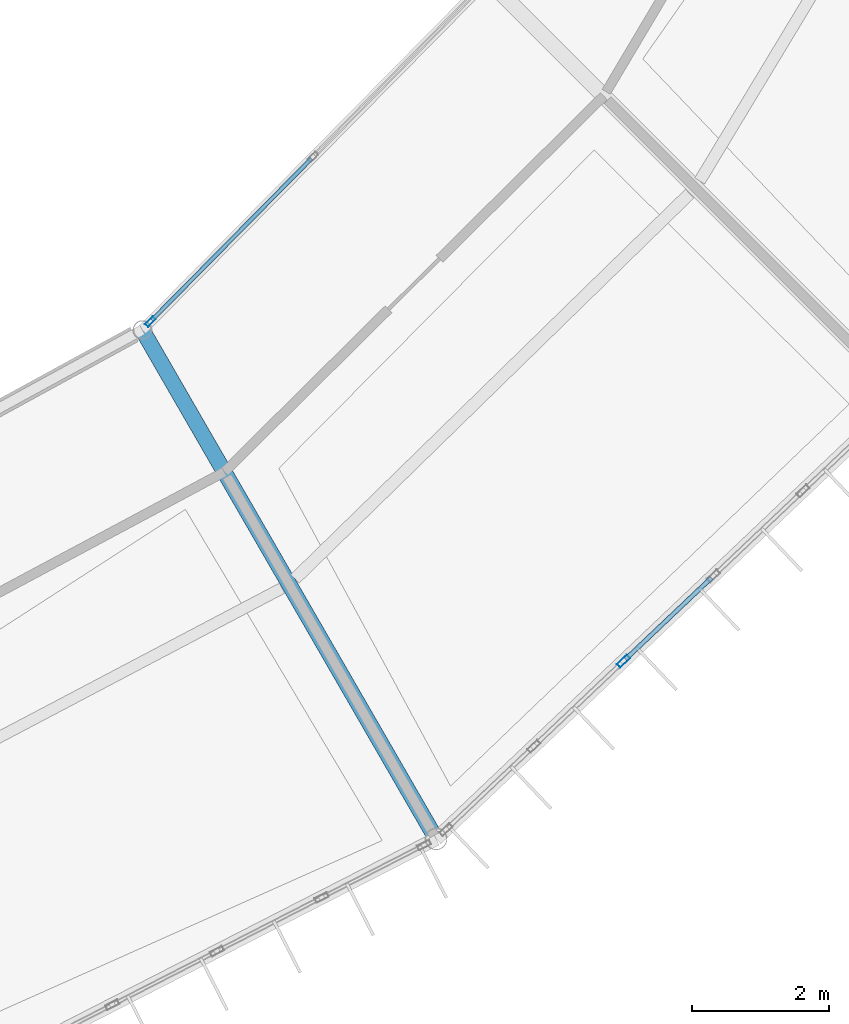
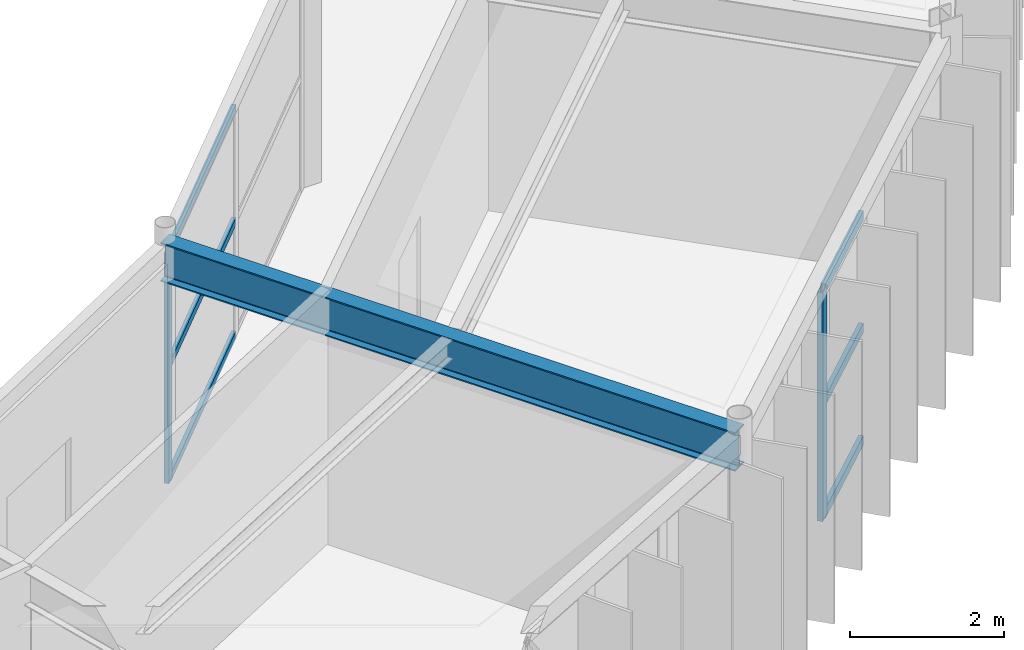
# One storey, part 50 of 147: 8 members, 1 beam, 2 elements without a shape of their own.
"""IFC4 building model written with IfcOpenShell, lengths in metres."""

from ifc_helpers import new_model, si_unit, direction, frame, origin, origin_2d, place, context, subcontext, project, spatial, hollow_rectangle, i_section, extrude, material, material_profile, profile_set, type_object, element, aggregate, save


model = new_model("IFC4")

# Units and contexts
model_context = context("Model", 3, precision=1e-05, world=origin(), true_north=direction((0.0, 1.0)))
body_context = subcontext(model_context, "Body", "Model", "MODEL_VIEW")
ifc_project = project(units=[si_unit("LENGTHUNIT", "METRE"), si_unit("AREAUNIT", "SQUARE_METRE"), si_unit("VOLUMEUNIT", "CUBIC_METRE"), si_unit("PLANEANGLEUNIT", "RADIAN"), si_unit("MASSUNIT", "GRAM", prefix="KILO")], contexts=[model_context])

# Site, building, storey
site_placement = place(None, origin())
site = spatial("IfcSite", under=ifc_project, at=site_placement, CompositionType="ELEMENT")
building_placement = place(site_placement, origin())
building = spatial("IfcBuilding", under=site, at=building_placement, Name="Karori Crest Natural Sciences Institute", CompositionType="ELEMENT")
storey_placement = place(building_placement, frame((0.0, 0.0, 9.10009765625)))
storey = spatial("IfcBuildingStorey", under=building, at=storey_placement, Name="L02", CompositionType="ELEMENT", Elevation=9.10009765625)

# Beam
ifc_material_1 = material(Name="Structural steel AS/NZS 3679.1 Grade 350", Category="steel")
ifc_material_profile_1 = material_profile(ifc_material_1, i_section(OverallWidth=0.22900390625, OverallDepth=0.612060546875, WebThickness=0.011962890625, FlangeThickness=0.01953125, FilletRadius=0.013916015625, at=origin_2d()), Name="610UB125")
ifc_profile_set_1 = profile_set([ifc_material_profile_1], Name="Structural steel AS/NZS 3679.1 Grade 350")
beam_type = type_object("IfcBeamType", Name="BT-04", PredefinedType="BEAM", material=ifc_profile_set_1)
beam_placement = place(storey_placement, frame((78.60009765625, 22.013916015625, 3.6337890625), z_axis=(0.499986217557, -0.866033360935, 0.0), x_axis=(0.866033360935, 0.499986217557, 0.0)))
element("IfcBeam", 1, at=beam_placement, inside=storey, type_object=beam_type, Name="Beam B-0348", PredefinedType="BEAM", context=body_context, shape_type="SweptSolid", body=[
    extrude(i_section(OverallWidth=0.22900390625, OverallDepth=0.612060546875, WebThickness=0.011962890625, FlangeThickness=0.01953125, FilletRadius=0.013916015625, at=origin_2d()), origin(), (0.0, 0.0, 1.0), 8.599853515625),
])

# Curtain wall, member
ifc_material_2 = material(Name="Anodised architectural aluminium 6063-T6", Category="aluminium")
curtain_wall_type_1 = type_object("IfcCurtainWallType", Name="CWT-11", PredefinedType="NOTDEFINED", material=ifc_material_2)
curtain_wall_1_placement = place(storey_placement, origin())
curtain_wall_1 = element("IfcCurtainWall", 2, at=curtain_wall_1_placement, inside=storey, type_object=curtain_wall_type_1, Name="Curtain wall CW-0095", PredefinedType="NOTDEFINED")
ifc_material_profile_2 = material_profile(ifc_material_2, hollow_rectangle(XDim=0.06494140625, YDim=0.159912109375, WallThickness=0.00390625, at=origin_2d()), Name="CWM160x65x4")
ifc_profile_set_2 = profile_set([ifc_material_profile_2], Name="Anodised architectural aluminium 6063-T6")
member_type_1 = type_object("IfcMemberType", Name="CWM-01", PredefinedType="MULLION", material=ifc_profile_set_2)
member_1_placement = place(storey_placement, frame((78.71728515625, 22.1328125, 0.0), z_axis=(0.0, 0.0, 1.0), x_axis=(-0.71152941525, 0.70265631089, 0.0)))
member_1 = element("IfcMember", 3, at=member_1_placement, type_object=member_type_1, Name="CW-0095 mullion 1", PredefinedType="MULLION", context=body_context, shape_type="SweptSolid", body=[
    extrude(hollow_rectangle(XDim=0.06494140625, YDim=0.159912109375, WallThickness=0.00390625, at=origin_2d()), origin(), (0.0, 0.0, 1.0), 3.64990234375),
])

curtain_wall_type_2 = type_object("IfcCurtainWallType", Name="CWT-01", PredefinedType="NOTDEFINED", material=ifc_material_2)
curtain_wall_2_placement = place(storey_placement, origin())
curtain_wall_2 = element("IfcCurtainWall", 4, at=curtain_wall_2_placement, inside=storey, type_object=curtain_wall_type_2, Name="Curtain wall CW-0094", PredefinedType="NOTDEFINED")
ifc_material_profile_3 = material_profile(ifc_material_2, hollow_rectangle(XDim=0.074951171875, YDim=0.199951171875, WallThickness=0.0048828125, at=origin_2d()), Name="CWM200x75x5")
ifc_profile_set_3 = profile_set([ifc_material_profile_3], Name="Anodised architectural aluminium 6063-T6")
member_type_2 = type_object("IfcMemberType", Name="CWM-02", PredefinedType="MULLION", material=ifc_profile_set_3)
member_2_placement = place(storey_placement, frame((85.641845703125, 17.167236328125, 0.0), z_axis=(0.0, 0.0, 1.0), x_axis=(0.688250886925, -0.725472753897, 0.0)))
member_2 = element("IfcMember", 5, at=member_2_placement, type_object=member_type_2, Name="CW-0094 mullion 4", PredefinedType="MULLION", context=body_context, shape_type="SweptSolid", body=[
    extrude(hollow_rectangle(XDim=0.074951171875, YDim=0.199951171875, WallThickness=0.0048828125, at=origin_2d()), origin(), (0.0, 0.0, 1.0), 3.625),
])

# Member
ifc_material_profile_4 = material_profile(ifc_material_2, hollow_rectangle(XDim=0.06005859375, YDim=0.1201171875, WallThickness=0.00390625, at=origin_2d()), Name="CWT120x60x4")
ifc_profile_set_4 = profile_set([ifc_material_profile_4], Name="Anodised architectural aluminium 6063-T6")
member_type_3 = type_object("IfcMemberType", Name="CWT-TR1", PredefinedType="USERDEFINED", material=ifc_profile_set_4)
member_3_placement = place(storey_placement, frame((78.740234375, 22.156005859375, 0.02978515625), z_axis=(0.702647532142, 0.711538084416, 0.0), x_axis=(-0.711538084416, 0.702647532142, 0.0)))
member_3 = element("IfcMember", 6, at=member_3_placement, type_object=member_type_3, Name="CW-0095 transom 1.1", ObjectType="TRANSOM", PredefinedType="USERDEFINED", context=body_context, shape_type="SweptSolid", body=[
    extrude(hollow_rectangle(XDim=0.06005859375, YDim=0.1201171875, WallThickness=0.00390625, at=origin_2d()), origin(), (0.0, 0.0, 1.0), 3.32275390625),
])

member_4_placement = place(storey_placement, frame((78.740234375, 22.156005859375, 1.824951171875), z_axis=(0.702647532142, 0.711538084416, 0.0), x_axis=(-0.711538084416, 0.702647532142, 0.0)))
member_4 = element("IfcMember", 7, at=member_4_placement, type_object=member_type_3, Name="CW-0095 transom 1.2", ObjectType="TRANSOM", PredefinedType="USERDEFINED", context=body_context, shape_type="SweptSolid", body=[
    extrude(hollow_rectangle(XDim=0.06005859375, YDim=0.1201171875, WallThickness=0.00390625, at=origin_2d()), origin(), (0.0, 0.0, 1.0), 3.32275390625),
])

member_5_placement = place(storey_placement, frame((78.740234375, 22.156005859375, 3.619873046875), z_axis=(0.702647532142, 0.711538084416, 0.0), x_axis=(-0.711538084416, 0.702647532142, 0.0)))
member_5 = element("IfcMember", 8, at=member_5_placement, type_object=member_type_3, Name="CW-0095 transom 1.3", ObjectType="TRANSOM", PredefinedType="USERDEFINED", context=body_context, shape_type="SweptSolid", body=[
    extrude(hollow_rectangle(XDim=0.06005859375, YDim=0.1201171875, WallThickness=0.00390625, at=origin_2d()), origin(), (0.0, 0.0, 1.0), 3.32275390625),
])

aggregate(curtain_wall_1, [member_1, member_3, member_4, member_5])

ifc_material_profile_5 = material_profile(ifc_material_2, hollow_rectangle(XDim=0.06494140625, YDim=0.14990234375, WallThickness=0.00390625, at=origin_2d()), Name="CWT150x65x4")
ifc_profile_set_5 = profile_set([ifc_material_profile_5], Name="Anodised architectural aluminium 6063-T6")
member_type_4 = type_object("IfcMemberType", Name="CWT-TR2", PredefinedType="USERDEFINED", material=ifc_profile_set_5)
member_6_placement = place(storey_placement, frame((86.927490234375, 18.386962890625, 0.032470703125), z_axis=(-0.725508743125, -0.688212949347, 0.0), x_axis=(0.688212949347, -0.725508743125, 0.0)))
member_6 = element("IfcMember", 9, at=member_6_placement, type_object=member_type_4, Name="CW-0094 transom 3.1", ObjectType="TRANSOM", PredefinedType="USERDEFINED", context=body_context, shape_type="SweptSolid", body=[
    extrude(hollow_rectangle(XDim=0.06494140625, YDim=0.14990234375, WallThickness=0.00390625, at=origin_2d()), origin(), (0.0, 0.0, 1.0), 1.734619140625),
])

member_7_placement = place(storey_placement, frame((86.927490234375, 18.386962890625, 1.8125), z_axis=(-0.725508743125, -0.688212949347, 0.0), x_axis=(0.688212949347, -0.725508743125, 0.0)))
member_7 = element("IfcMember", 10, at=member_7_placement, type_object=member_type_4, Name="CW-0094 transom 3.2", ObjectType="TRANSOM", PredefinedType="USERDEFINED", context=body_context, shape_type="SweptSolid", body=[
    extrude(hollow_rectangle(XDim=0.06494140625, YDim=0.14990234375, WallThickness=0.00390625, at=origin_2d()), origin(), (0.0, 0.0, 1.0), 1.734619140625),
])

member_8_placement = place(storey_placement, frame((86.927490234375, 18.386962890625, 3.59228515625), z_axis=(-0.725508743125, -0.688212949347, 0.0), x_axis=(0.688212949347, -0.725508743125, 0.0)))
member_8 = element("IfcMember", 11, at=member_8_placement, type_object=member_type_4, Name="CW-0094 transom 3.3", ObjectType="TRANSOM", PredefinedType="USERDEFINED", context=body_context, shape_type="SweptSolid", body=[
    extrude(hollow_rectangle(XDim=0.06494140625, YDim=0.14990234375, WallThickness=0.00390625, at=origin_2d()), origin(), (0.0, 0.0, 1.0), 1.734619140625),
])

aggregate(curtain_wall_2, [member_2, member_6, member_7, member_8])

save(model, "model.ifc")
